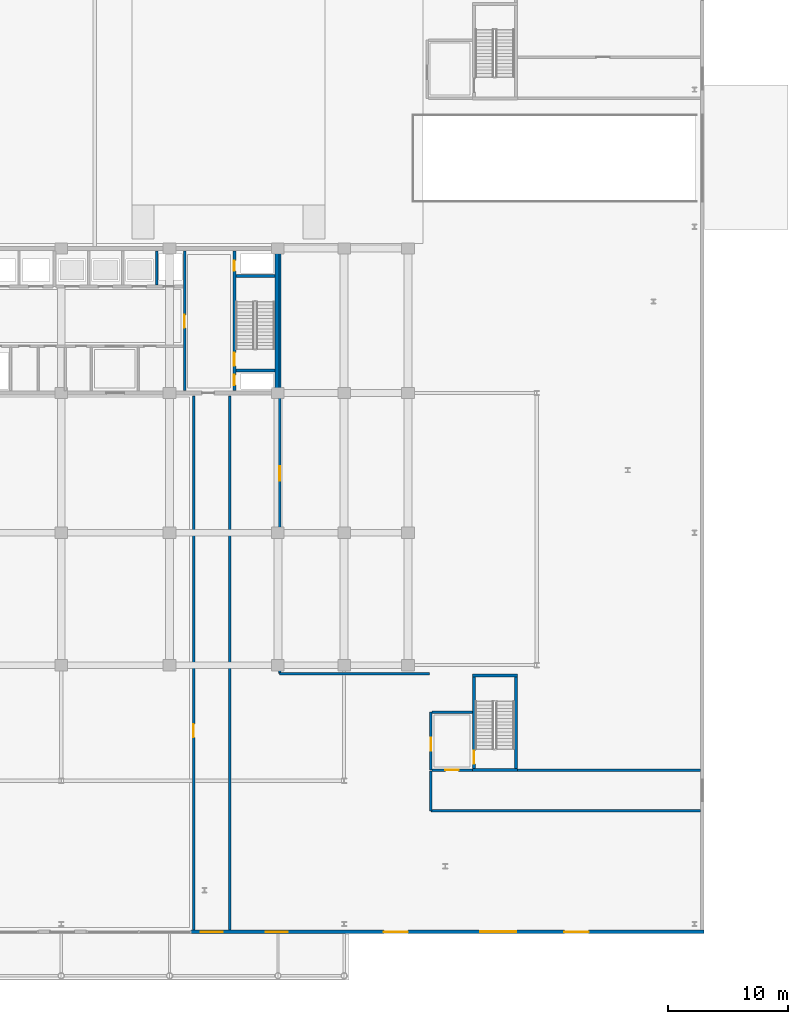
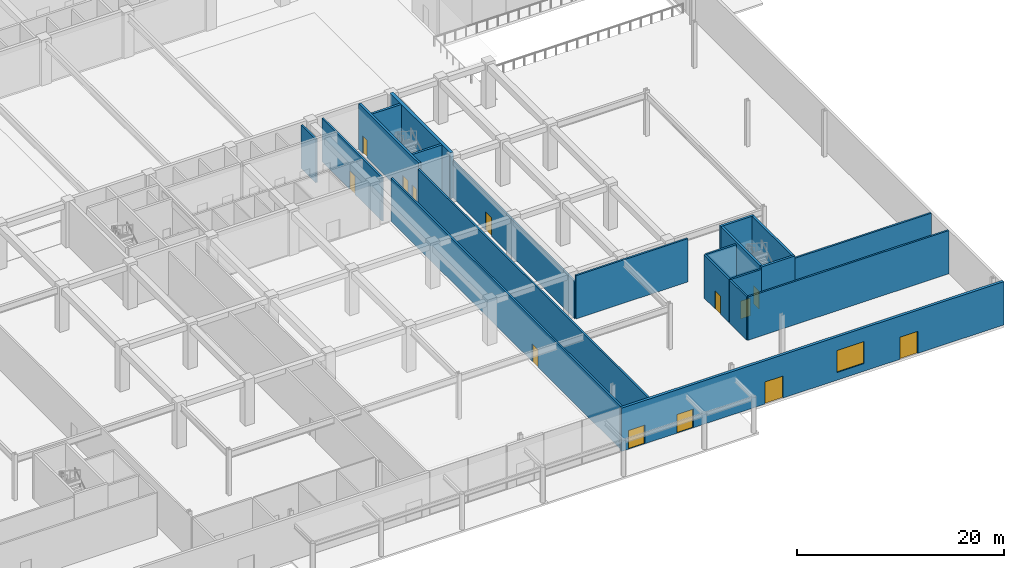
# One storey, part 23 of 46: 21 walls, 13 doors, 1 window, 14 openings.
"""IFC4 building model written with IfcOpenShell, lengths in metres."""

from ifc_helpers import new_model, si_unit, direction, frame, frame_2d, origin, place, context, subcontext, project, spatial, rectangle, extrude, material, layer, layer_set, type_object, element, fill, save


model = new_model("IFC4")

# Units and contexts
model_context = context("Model", 3, precision=1e-05, world=origin(), true_north=direction((0.0, 1.0)))
body_context = subcontext(model_context, "Body", "Model", "MODEL_VIEW")
ifc_project = project(units=[si_unit("LENGTHUNIT", "METRE"), si_unit("AREAUNIT", "SQUARE_METRE"), si_unit("VOLUMEUNIT", "CUBIC_METRE"), si_unit("PLANEANGLEUNIT", "RADIAN"), si_unit("MASSUNIT", "GRAM", prefix="KILO")], contexts=[model_context])

# Site, building, storey
site_placement = place(None, origin())
site = spatial("IfcSite", under=ifc_project, at=site_placement, CompositionType="ELEMENT")
building_placement = place(site_placement, origin())
building = spatial("IfcBuilding", under=site, at=building_placement, Name="Korimba Cascade Residences", CompositionType="ELEMENT")
storey_placement = place(building_placement, origin())
storey = spatial("IfcBuildingStorey", under=building, at=storey_placement, Name="L00", CompositionType="ELEMENT", Elevation=0.0)

# Wall, openings, doors, window
ifc_material_1 = material(Name="Precast concrete C40/50", Category="concrete")
ifc_layer_1 = layer(ifc_material_1, 0.300048828125)
ifc_layer_set_1 = layer_set([ifc_layer_1], Name="Precast concrete C40/50")
wall_type_1 = type_object("IfcWallType", Name="EW-STONE-300", PredefinedType="STANDARD", material=ifc_layer_set_1)
wall_1_placement = place(storey_placement, frame((110.89990234375, -26.35009765625, 0.0), z_axis=(0.0, 0.0, 1.0), x_axis=(1.0, 0.0, 0.0)))
wall_1 = element("IfcWall", 1, at=wall_1_placement, inside=storey, type_object=wall_type_1, Name="L00 South-East Stone Podium Wall", PredefinedType="STANDARD", context=body_context, shape_type="SweptSolid", body=[
    extrude(rectangle(XDim=42.60009765625, YDim=0.300048828125, at=frame_2d((21.300048828125, 0.0))), origin(), (0.0, 0.0, 1.0), 5.10009765625),
])
opening_1_placement = place(wall_1_placement, frame((0.800048828125, 0.0, 0.0)))
opening_1 = element("IfcOpeningElement", 2, at=opening_1_placement, cuts=wall_1, Name="Opening D-EX2", PredefinedType="OPENING", context=body_context, shape_type="SweptSolid", body=[
    extrude(rectangle(XDim=1.800048828125, YDim=2.199951171875, at=frame_2d((0.89990234375, 1.10009765625))), frame((0.0, 0.16015625, 0.0), z_axis=(0.0, -1.0, 0.0), x_axis=(1.0, 0.0, 0.0)), (0.0, 0.0, 1.0), 0.320068359375),
])
opening_2_placement = place(wall_1_placement, frame((6.199951171875, 0.0, 0.0)))
opening_2 = element("IfcOpeningElement", 3, at=opening_2_placement, cuts=wall_1, Name="Opening D-EX2", PredefinedType="OPENING", context=body_context, shape_type="SweptSolid", body=[
    extrude(rectangle(XDim=1.800048828125, YDim=2.199951171875, at=frame_2d((0.89990234375, 1.10009765625))), frame((0.0, 0.16015625, 0.0), z_axis=(0.0, -1.0, 0.0), x_axis=(1.0, 0.0, 0.0)), (0.0, 0.0, 1.0), 0.320068359375),
])
opening_3_placement = place(wall_1_placement, frame((16.0, 0.0, 0.0)))
opening_3 = element("IfcOpeningElement", 4, at=opening_3_placement, cuts=wall_1, Name="Opening D-EX1", PredefinedType="OPENING", context=body_context, shape_type="SweptSolid", body=[
    extrude(rectangle(XDim=2.0, YDim=2.60009765625, at=frame_2d((1.0, 1.300048828125))), frame((0.0, 0.16015625, 0.0), z_axis=(0.0, -1.0, 0.0), x_axis=(1.0, 0.0, 0.0)), (0.0, 0.0, 1.0), 0.320068359375),
])
opening_4_placement = place(wall_1_placement, frame((31.0, 0.0, 0.0)))
opening_4 = element("IfcOpeningElement", 5, at=opening_4_placement, cuts=wall_1, Name="Opening D-EX1", PredefinedType="OPENING", context=body_context, shape_type="SweptSolid", body=[
    extrude(rectangle(XDim=2.0, YDim=2.60009765625, at=frame_2d((1.0, 1.300048828125))), frame((0.0, 0.16015625, 0.0), z_axis=(0.0, -1.0, 0.0), x_axis=(1.0, 0.0, 0.0)), (0.0, 0.0, 1.0), 0.320068359375),
])
opening_5_placement = place(wall_1_placement, frame((24.0, 0.0, 0.89990234375)))
opening_5 = element("IfcOpeningElement", 6, at=opening_5_placement, cuts=wall_1, Name="Opening W-04", PredefinedType="OPENING", context=body_context, shape_type="SweptSolid", body=[
    extrude(rectangle(XDim=3.0, YDim=2.60009765625, at=frame_2d((1.5, 1.300048828125))), frame((0.0, 0.16015625, 0.0), z_axis=(0.0, -1.0, 0.0), x_axis=(1.0, 0.0, 0.0)), (0.0, 0.0, 1.0), 0.320068359375),
])
ifc_material_2 = material(Name="Double-Glazed Entrance Doors", Category="glass")
door_type_1 = type_object("IfcDoorType", Name="DR-EXT-ENT", OperationType="NOTDEFINED", PredefinedType="DOOR", material=ifc_material_2)
door_1_placement = place(opening_3_placement, frame((2.0, 0.0, 0.0), z_axis=(0.0, 0.0, 1.0), x_axis=(-1.0, 0.0, 0.0)))
door_1 = element("IfcDoor", 7, at=door_1_placement, inside=storey, type_object=door_type_1, Name="L00 Leasing Suite Street Entrance Door", OperationType="DOUBLE_DOOR_SINGLE_SWING", OverallHeight=2.60009765625, OverallWidth=2.0, PredefinedType="DOOR", context=body_context, shape_type="SweptSolid", body=[
    extrude(rectangle(XDim=2.0, YDim=2.60009765625, at=frame_2d((1.0, 1.300048828125))), frame((0.0, 0.02490234375, 0.0), z_axis=(0.0, -1.0, 0.0), x_axis=(1.0, 0.0, 0.0)), (0.0, 0.0, 1.0), 0.050048828125),
])
fill(opening_3, door_1)
door_2_placement = place(opening_4_placement, frame((2.0, 0.0, 0.0), z_axis=(0.0, 0.0, 1.0), x_axis=(-1.0, 0.0, 0.0)))
door_2 = element("IfcDoor", 8, at=door_2_placement, inside=storey, type_object=door_type_1, Name="L00 East Promenade Entrance Door", OperationType="DOUBLE_DOOR_SINGLE_SWING", OverallHeight=2.60009765625, OverallWidth=2.0, PredefinedType="DOOR", context=body_context, shape_type="SweptSolid", body=[
    extrude(rectangle(XDim=2.0, YDim=2.60009765625, at=frame_2d((1.0, 1.300048828125))), frame((0.0, 0.02490234375, 0.0), z_axis=(0.0, -1.0, 0.0), x_axis=(1.0, 0.0, 0.0)), (0.0, 0.0, 1.0), 0.050048828125),
])
fill(opening_4, door_2)
ifc_material_3 = material(Name="Galvanised Steel Fire Exit Door", Category="steel")
door_type_2 = type_object("IfcDoorType", Name="DR-EXT-EXIT", OperationType="NOTDEFINED", PredefinedType="DOOR", material=ifc_material_3)
door_3_placement = place(opening_1_placement, frame((1.800048828125, 0.0, 0.0), z_axis=(0.0, 0.0, 1.0), x_axis=(-1.0, 0.0, 0.0)))
door_3 = element("IfcDoor", 9, at=door_3_placement, inside=storey, type_object=door_type_2, Name="L00 Street Fire Exit Door EX-02", OperationType="DOUBLE_DOOR_SINGLE_SWING", OverallHeight=2.199951171875, OverallWidth=1.800048828125, PredefinedType="DOOR", context=body_context, shape_type="SweptSolid", body=[
    extrude(rectangle(XDim=1.800048828125, YDim=2.199951171875, at=frame_2d((0.89990234375, 1.10009765625))), frame((0.0, 0.02490234375, 0.0), z_axis=(0.0, -1.0, 0.0), x_axis=(1.0, 0.0, 0.0)), (0.0, 0.0, 1.0), 0.050048828125),
])
fill(opening_1, door_3)
door_4_placement = place(opening_2_placement, frame((1.800048828125, 0.0, 0.0), z_axis=(0.0, 0.0, 1.0), x_axis=(-1.0, 0.0, 0.0)))
door_4 = element("IfcDoor", 10, at=door_4_placement, inside=storey, type_object=door_type_2, Name="L00 Street Fire Exit Door EX-07", OperationType="DOUBLE_DOOR_SINGLE_SWING", OverallHeight=2.199951171875, OverallWidth=1.800048828125, PredefinedType="DOOR", context=body_context, shape_type="SweptSolid", body=[
    extrude(rectangle(XDim=1.800048828125, YDim=2.199951171875, at=frame_2d((0.89990234375, 1.10009765625))), frame((0.0, 0.02490234375, 0.0), z_axis=(0.0, -1.0, 0.0), x_axis=(1.0, 0.0, 0.0)), (0.0, 0.0, 1.0), 0.050048828125),
])
fill(opening_2, door_4)
ifc_material_4 = material(Name="Double-Glazed Aluminium Window", Category="aluminium")
window_type = type_object("IfcWindowType", Name="WIN-POD-3000", PartitioningType="TRIPLE_PANEL_VERTICAL", PredefinedType="WINDOW", material=ifc_material_4)
window_placement = place(opening_5_placement, origin())
window = element("IfcWindow", 11, at=window_placement, inside=storey, type_object=window_type, Name="L00 Cafe Display Window", OverallHeight=2.60009765625, OverallWidth=3.0, PartitioningType="TRIPLE_PANEL_VERTICAL", PredefinedType="WINDOW", context=body_context, shape_type="SweptSolid", body=[
    extrude(rectangle(XDim=3.0, YDim=2.60009765625, at=frame_2d((1.5, 1.300048828125))), frame((0.0, 0.030029296875, 0.0), z_axis=(0.0, -1.0, 0.0), x_axis=(1.0, 0.0, 0.0)), (0.0, 0.0, 1.0), 0.06005859375),
])
fill(opening_5, window)

# Walls
ifc_material_5 = material(Name="Concrete C65/80", Category="concrete")
ifc_layer_2 = layer(ifc_material_5, 0.35009765625)
ifc_layer_set_2 = layer_set([ifc_layer_2], Name="Concrete C65/80")
wall_type_2 = type_object("IfcWallType", Name="WAL-CORE-350", PredefinedType="SHEAR", material=ifc_layer_set_2)
wall_2_placement = place(storey_placement, frame((118.014892578125, 18.574951171875, 0.0), z_axis=(0.0, 0.0, 1.0), x_axis=(0.0, 1.0, 0.0)))
element("IfcWall", 12, at=wall_2_placement, inside=storey, type_object=wall_type_2, Name="L00 Core Shear Wall CW-L00-T2-E", PredefinedType="SHEAR", context=body_context, shape_type="SweptSolid", body=[
    extrude(rectangle(XDim=11.650146484375, YDim=0.35009765625, at=frame_2d((5.8251953125, 0.0))), origin(), (0.0, 0.0, 1.0), 5.39990234375),
])
ifc_material_6 = material(Name="Concrete C40/50", Category="concrete")
ifc_layer_3 = layer(ifc_material_6, 0.199951171875)
ifc_layer_set_3 = layer_set([ifc_layer_3], Name="Concrete C40/50")
wall_type_3 = type_object("IfcWallType", Name="WAL-PART-200", PredefinedType="PARTITIONING", material=ifc_layer_set_3)
wall_3_placement = place(storey_placement, frame((108.050048828125, 27.3798828125, 0.0), z_axis=(0.0, 0.0, 1.0), x_axis=(0.0, 1.0, 0.0)))
element("IfcWall", 13, at=wall_3_placement, inside=storey, type_object=wall_type_3, Name="L00 Partition Wall CW-L00-T2-B2D3", PredefinedType="PARTITIONING", context=body_context, shape_type="SweptSolid", body=[
    extrude(rectangle(XDim=2.820068359375, YDim=0.199951171875, at=frame_2d((1.41015625, 0.0))), origin(), (0.0, 0.0, 1.0), 5.10009765625),
])

# Wall, opening, door
wall_4_placement = place(storey_placement, frame((110.35009765625, 18.60009765625, 0.0), z_axis=(0.0, 0.0, 1.0), x_axis=(0.0, 1.0, 0.0)))
wall_4 = element("IfcWall", 14, at=wall_4_placement, inside=storey, type_object=wall_type_3, Name="L00 Partition Wall CW-L00-T2-LLEV", PredefinedType="PARTITIONING", context=body_context, shape_type="SweptSolid", body=[
    extrude(rectangle(XDim=11.599853515625, YDim=0.199951171875, at=frame_2d((5.7998046875, 0.0))), origin(), (0.0, 0.0, 1.0), 5.10009765625),
])
opening_6_placement = place(wall_4_placement, frame((5.199951171875, 0.0, 0.0)))
opening_6 = element("IfcOpeningElement", 15, at=opening_6_placement, cuts=wall_4, Name="Opening D-FD6", PredefinedType="OPENING", context=body_context, shape_type="SweptSolid", body=[
    extrude(rectangle(XDim=1.10009765625, YDim=2.14990234375, at=frame_2d((0.550048828125, 1.074951171875))), frame((0.0, 0.10986328125, 0.0), z_axis=(0.0, -1.0, 0.0), x_axis=(1.0, 0.0, 0.0)), (0.0, 0.0, 1.0), 0.219970703125),
])
ifc_material_7 = material(Name="Fire-Rated Timber Stair Lobby Door", Category="wood")
door_type_3 = type_object("IfcDoorType", Name="DR-FD90-1100", OperationType="NOTDEFINED", PredefinedType="DOOR", material=ifc_material_7)
door_5_placement = place(opening_6_placement, origin())
door_5 = element("IfcDoor", 16, at=door_5_placement, inside=storey, type_object=door_type_3, Name="L00 T2 Lift Lobby to East Stair Lobby Door", OperationType="SINGLE_SWING_LEFT", OverallHeight=2.14990234375, OverallWidth=1.10009765625, PredefinedType="DOOR", context=body_context, shape_type="SweptSolid", body=[
    extrude(rectangle(XDim=1.10009765625, YDim=2.14990234375, at=frame_2d((0.550048828125, 1.074951171875))), frame((0.0, 0.02490234375, 0.0), z_axis=(0.0, -1.0, 0.0), x_axis=(1.0, 0.0, 0.0)), (0.0, 0.0, 1.0), 0.050048828125),
])
fill(opening_6, door_5)

wall_5_placement = place(storey_placement, frame((130.800048828125, -12.925048828125, 0.0), z_axis=(0.0, 0.0, 1.0), x_axis=(0.0, 1.0, 0.0)))
wall_5 = element("IfcWall", 17, at=wall_5_placement, inside=storey, type_object=wall_type_3, Name="L00 Partition Wall CW-L00-PL6W", PredefinedType="PARTITIONING", context=body_context, shape_type="SweptSolid", body=[
    extrude(rectangle(XDim=4.824951171875, YDim=0.199951171875, at=frame_2d((2.41259765625, 0.0))), origin(), (0.0, 0.0, 1.0), 5.10009765625),
])
opening_7_placement = place(wall_5_placement, frame((1.60009765625, 0.0, 0.0)))
opening_7 = element("IfcOpeningElement", 18, at=opening_7_placement, cuts=wall_5, Name="Opening D-FD6", PredefinedType="OPENING", context=body_context, shape_type="SweptSolid", body=[
    extrude(rectangle(XDim=1.10009765625, YDim=2.14990234375, at=frame_2d((0.550048828125, 1.074951171875))), frame((0.0, 0.10986328125, 0.0), z_axis=(0.0, -1.0, 0.0), x_axis=(1.0, 0.0, 0.0)), (0.0, 0.0, 1.0), 0.219970703125),
])
door_6_placement = place(opening_7_placement, origin())
door_6 = element("IfcDoor", 19, at=door_6_placement, inside=storey, type_object=door_type_3, Name="L00 South-East Stair Vestibule Door", OperationType="SINGLE_SWING_LEFT", OverallHeight=2.14990234375, OverallWidth=1.10009765625, PredefinedType="DOOR", context=body_context, shape_type="SweptSolid", body=[
    extrude(rectangle(XDim=1.10009765625, YDim=2.14990234375, at=frame_2d((0.550048828125, 1.074951171875))), frame((0.0, 0.02490234375, 0.0), z_axis=(0.0, -1.0, 0.0), x_axis=(1.0, 0.0, 0.0)), (0.0, 0.0, 1.0), 0.050048828125),
])
fill(opening_7, door_6)

wall_6_placement = place(storey_placement, frame((130.89990234375, -12.925048828125, 0.0), z_axis=(0.0, 0.0, 1.0), x_axis=(1.0, 0.0, 0.0)))
wall_6 = element("IfcWall", 20, at=wall_6_placement, inside=storey, type_object=wall_type_3, Name="L00 Partition Wall CW-L00-PL6S", PredefinedType="PARTITIONING", context=body_context, shape_type="SweptSolid", body=[
    extrude(rectangle(XDim=3.35009765625, YDim=0.199951171875, at=frame_2d((1.675048828125, 0.0))), origin(), (0.0, 0.0, 1.0), 5.10009765625),
])
opening_8_placement = place(wall_6_placement, frame((1.10009765625, 0.0, 0.0)))
opening_8 = element("IfcOpeningElement", 21, at=opening_8_placement, cuts=wall_6, Name="Opening D-FD1", PredefinedType="OPENING", context=body_context, shape_type="SweptSolid", body=[
    extrude(rectangle(XDim=1.10009765625, YDim=2.10009765625, at=frame_2d((0.550048828125, 1.050048828125))), frame((0.0, 0.10986328125, 0.0), z_axis=(0.0, -1.0, 0.0), x_axis=(1.0, 0.0, 0.0)), (0.0, 0.0, 1.0), 0.219970703125),
])
ifc_material_8 = material(Name="Fire-Rated Steel Core Door", Category="steel")
door_type_4 = type_object("IfcDoorType", Name="DR-FD120-1100", OperationType="NOTDEFINED", PredefinedType="DOOR", material=ifc_material_8)
door_7_placement = place(opening_8_placement, origin())
door_7 = element("IfcDoor", 22, at=door_7_placement, inside=storey, type_object=door_type_4, Name="L00 SE Vestibule to Exit Passage Door", OperationType="SINGLE_SWING_RIGHT", OverallHeight=2.10009765625, OverallWidth=1.10009765625, PredefinedType="DOOR", context=body_context, shape_type="SweptSolid", body=[
    extrude(rectangle(XDim=1.10009765625, YDim=2.10009765625, at=frame_2d((0.550048828125, 1.050048828125))), frame((0.0, 0.02490234375, 0.0), z_axis=(0.0, -1.0, 0.0), x_axis=(1.0, 0.0, 0.0)), (0.0, 0.0, 1.0), 0.050048828125),
])
fill(opening_8, door_7)

# Wall
wall_7_placement = place(storey_placement, frame((130.89990234375, -8.10009765625, 0.0), z_axis=(0.0, 0.0, 1.0), x_axis=(1.0, 0.0, 0.0)))
element("IfcWall", 23, at=wall_7_placement, inside=storey, type_object=wall_type_3, Name="L00 Partition Wall CW-L00-PL6N", PredefinedType="PARTITIONING", context=body_context, shape_type="SweptSolid", body=[
    extrude(rectangle(XDim=3.35009765625, YDim=0.199951171875, at=frame_2d((1.675048828125, 0.0))), origin(), (0.0, 0.0, 1.0), 5.10009765625),
])

# Wall, opening, door
wall_8_placement = place(storey_placement, frame((111.10009765625, -26.199951171875, 0.0), z_axis=(0.0, 0.0, 1.0), x_axis=(0.0, 1.0, 0.0)))
wall_8 = element("IfcWall", 24, at=wall_8_placement, inside=storey, type_object=wall_type_3, Name="L00 Partition Wall WAL-L00-XPS2W", PredefinedType="PARTITIONING", context=body_context, shape_type="SweptSolid", body=[
    extrude(rectangle(XDim=44.349853515625, YDim=0.199951171875, at=frame_2d((22.1748046875, 0.0))), origin(), (0.0, 0.0, 1.0), 5.10009765625),
])
opening_9_placement = place(wall_8_placement, frame((16.0, 0.0, 0.0)))
opening_9 = element("IfcOpeningElement", 25, at=opening_9_placement, cuts=wall_8, Name="Opening D-FD1", PredefinedType="OPENING", context=body_context, shape_type="SweptSolid", body=[
    extrude(rectangle(XDim=1.10009765625, YDim=2.10009765625, at=frame_2d((0.550048828125, 1.050048828125))), frame((0.0, 0.10986328125, 0.0), z_axis=(0.0, -1.0, 0.0), x_axis=(1.0, 0.0, 0.0)), (0.0, 0.0, 1.0), 0.219970703125),
])
door_8_placement = place(opening_9_placement, origin())
door_8 = element("IfcDoor", 26, at=door_8_placement, inside=storey, type_object=door_type_4, Name="L00 Lobby to SE Exit Passage Door", OperationType="SINGLE_SWING_LEFT", OverallHeight=2.10009765625, OverallWidth=1.10009765625, PredefinedType="DOOR", context=body_context, shape_type="SweptSolid", body=[
    extrude(rectangle(XDim=1.10009765625, YDim=2.10009765625, at=frame_2d((0.550048828125, 1.050048828125))), frame((0.0, 0.02490234375, 0.0), z_axis=(0.0, -1.0, 0.0), x_axis=(1.0, 0.0, 0.0)), (0.0, 0.0, 1.0), 0.050048828125),
])
fill(opening_9, door_8)

# Walls
wall_9_placement = place(storey_placement, frame((114.10009765625, -26.199951171875, 0.0), z_axis=(0.0, 0.0, 1.0), x_axis=(0.0, 1.0, 0.0)))
element("IfcWall", 27, at=wall_9_placement, inside=storey, type_object=wall_type_3, Name="L00 Partition Wall WAL-L00-XPS2E", PredefinedType="PARTITIONING", context=body_context, shape_type="SweptSolid", body=[
    extrude(rectangle(XDim=44.349853515625, YDim=0.199951171875, at=frame_2d((22.1748046875, 0.0))), origin(), (0.0, 0.0, 1.0), 5.10009765625),
])
wall_10_placement = place(storey_placement, frame((130.800048828125, -16.300048828125, 0.0), z_axis=(0.0, 0.0, 1.0), x_axis=(1.0, 0.0, 0.0)))
element("IfcWall", 28, at=wall_10_placement, inside=storey, type_object=wall_type_3, Name="L00 Partition Wall WAL-L00-XPP6S", PredefinedType="PARTITIONING", context=body_context, shape_type="SweptSolid", body=[
    extrude(rectangle(XDim=22.39990234375, YDim=0.199951171875, at=frame_2d((11.199951171875, 0.0))), origin(), (0.0, 0.0, 1.0), 5.10009765625),
])
wall_11_placement = place(storey_placement, frame((138.0, -12.925048828125, 0.0), z_axis=(0.0, 0.0, 1.0), x_axis=(1.0, 0.0, 0.0)))
element("IfcWall", 29, at=wall_11_placement, inside=storey, type_object=wall_type_3, Name="L00 Partition Wall WAL-L00-XPP6N", PredefinedType="PARTITIONING", context=body_context, shape_type="SweptSolid", body=[
    extrude(rectangle(XDim=15.199951171875, YDim=0.199951171875, at=frame_2d((7.60009765625, 0.0))), origin(), (0.0, 0.0, 1.0), 5.10009765625),
])
wall_12_placement = place(storey_placement, frame((130.800048828125, -16.300048828125, 0.0), z_axis=(0.0, 0.0, 1.0), x_axis=(0.0, 1.0, 0.0)))
element("IfcWall", 30, at=wall_12_placement, inside=storey, type_object=wall_type_3, Name="L00 Partition Wall WAL-L00-XPP6W", PredefinedType="PARTITIONING", context=body_context, shape_type="SweptSolid", body=[
    extrude(rectangle(XDim=3.300048828125, YDim=0.199951171875, at=frame_2d((1.64990234375, 0.0))), origin(), (0.0, 0.0, 1.0), 5.10009765625),
])

# Wall, opening, door
wall_13_placement = place(storey_placement, frame((118.25, -4.89990234375, 0.0), z_axis=(0.0, 0.0, 1.0), x_axis=(0.0, 1.0, 0.0)))
wall_13 = element("IfcWall", 31, at=wall_13_placement, inside=storey, type_object=wall_type_3, Name="L00 Partition Wall WAL-L00-CAFW", PredefinedType="PARTITIONING", context=body_context, shape_type="SweptSolid", body=[
    extrude(rectangle(XDim=35.349853515625, YDim=0.199951171875, at=frame_2d((17.6748046875, 0.0))), origin(), (0.0, 0.0, 1.0), 4.35009765625),
])
opening_10_placement = place(wall_13_placement, frame((16.0, 0.0, 0.0)))
opening_10 = element("IfcOpeningElement", 32, at=opening_10_placement, cuts=wall_13, Name="Opening D-AM1", PredefinedType="OPENING", context=body_context, shape_type="SweptSolid", body=[
    extrude(rectangle(XDim=1.219970703125, YDim=2.179931640625, at=frame_2d((0.60986328125, 1.08984375))), frame((0.0, 0.10986328125, 0.0), z_axis=(0.0, -1.0, 0.0), x_axis=(1.0, 0.0, 0.0)), (0.0, 0.0, 1.0), 0.219970703125),
])
ifc_material_9 = material(Name="Fire-Rated Glazed Timber Suite Door", Category="wood")
door_type_5 = type_object("IfcDoorType", Name="DR-FD60-1200", OperationType="NOTDEFINED", PredefinedType="DOOR", material=ifc_material_9)
door_9_placement = place(opening_10_placement, origin())
door_9 = element("IfcDoor", 33, at=door_9_placement, inside=storey, type_object=door_type_5, Name="L00 Leasing Office Internal Door", OperationType="SINGLE_SWING_LEFT", OverallHeight=2.179931640625, OverallWidth=1.219970703125, PredefinedType="DOOR", context=body_context, shape_type="SweptSolid", body=[
    extrude(rectangle(XDim=1.219970703125, YDim=2.179931640625, at=frame_2d((0.60986328125, 1.08984375))), frame((0.0, 0.02490234375, 0.0), z_axis=(0.0, -1.0, 0.0), x_axis=(1.0, 0.0, 0.0)), (0.0, 0.0, 1.0), 0.050048828125),
])
fill(opening_10, door_9)

# Wall
wall_14_placement = place(storey_placement, frame((118.25, -4.89990234375, 0.0), z_axis=(0.0, 0.0, 1.0), x_axis=(1.0, 0.0, 0.0)))
element("IfcWall", 34, at=wall_14_placement, inside=storey, type_object=wall_type_3, Name="L00 Partition Wall WAL-L00-CAFS", PredefinedType="PARTITIONING", context=body_context, shape_type="SweptSolid", body=[
    extrude(rectangle(XDim=12.449951171875, YDim=0.199951171875, at=frame_2d((6.22509765625, 0.0))), origin(), (0.0, 0.0, 1.0), 5.10009765625),
])

# Wall, openings, doors
ifc_material_10 = material(Name="Concrete C50/60", Category="concrete")
ifc_layer_4 = layer(ifc_material_10, 0.25)
ifc_layer_set_4 = layer_set([ifc_layer_4], Name="Concrete C50/60")
wall_type_4 = type_object("IfcWallType", Name="WAL-SHAFT-250", PredefinedType="SHEAR", material=ifc_layer_set_4)
wall_15_placement = place(storey_placement, frame((114.47509765625, 18.60009765625, 0.0), z_axis=(0.0, 0.0, 1.0), x_axis=(0.0, 1.0, 0.0)))
wall_15 = element("IfcWall", 35, at=wall_15_placement, inside=storey, type_object=wall_type_4, Name="L00 Core Shear Wall CW-L00-T2-STE2W", PredefinedType="SHEAR", context=body_context, shape_type="SweptSolid", body=[
    extrude(rectangle(XDim=11.599853515625, YDim=0.25, at=frame_2d((5.7998046875, 0.0))), origin(), (0.0, 0.0, 1.0), 5.39990234375),
])
opening_11_placement = place(wall_15_placement, frame((0.449951171875, 0.0, 0.0)))
opening_11 = element("IfcOpeningElement", 36, at=opening_11_placement, cuts=wall_15, Name="Opening D-RS1", PredefinedType="OPENING", context=body_context, shape_type="SweptSolid", body=[
    extrude(rectangle(XDim=0.85009765625, YDim=2.050048828125, at=frame_2d((0.425048828125, 1.02490234375))), frame((0.0, 0.135009765625, 0.0), z_axis=(0.0, -1.0, 0.0), x_axis=(1.0, 0.0, 0.0)), (0.0, 0.0, 1.0), 0.27001953125),
])
opening_12_placement = place(wall_15_placement, frame((2.050048828125, 0.0, 0.0)))
opening_12 = element("IfcOpeningElement", 37, at=opening_12_placement, cuts=wall_15, Name="Opening D-FD1", PredefinedType="OPENING", context=body_context, shape_type="SweptSolid", body=[
    extrude(rectangle(XDim=1.10009765625, YDim=2.10009765625, at=frame_2d((0.550048828125, 1.050048828125))), frame((0.0, 0.135009765625, 0.0), z_axis=(0.0, -1.0, 0.0), x_axis=(1.0, 0.0, 0.0)), (0.0, 0.0, 1.0), 0.27001953125),
])
opening_13_placement = place(wall_15_placement, frame((9.949951171875, 0.0, 0.0)))
opening_13 = element("IfcOpeningElement", 38, at=opening_13_placement, cuts=wall_15, Name="Opening D-RS1", PredefinedType="OPENING", context=body_context, shape_type="SweptSolid", body=[
    extrude(rectangle(XDim=0.85009765625, YDim=2.050048828125, at=frame_2d((0.425048828125, 1.02490234375))), frame((0.0, 0.135009765625, 0.0), z_axis=(0.0, -1.0, 0.0), x_axis=(1.0, 0.0, 0.0)), (0.0, 0.0, 1.0), 0.27001953125),
])
door_10_placement = place(opening_12_placement, origin())
door_10 = element("IfcDoor", 39, at=door_10_placement, inside=storey, type_object=door_type_4, Name="L00 Fire Stair ST-E2 Door", OperationType="SINGLE_SWING_LEFT", OverallHeight=2.10009765625, OverallWidth=1.10009765625, PredefinedType="DOOR", context=body_context, shape_type="SweptSolid", body=[
    extrude(rectangle(XDim=1.10009765625, YDim=2.10009765625, at=frame_2d((0.550048828125, 1.050048828125))), frame((0.0, 0.02490234375, 0.0), z_axis=(0.0, -1.0, 0.0), x_axis=(1.0, 0.0, 0.0)), (0.0, 0.0, 1.0), 0.050048828125),
])
fill(opening_12, door_10)
ifc_material_11 = material(Name="Fire-Rated Steel Riser Access Door", Category="steel")
door_type_6 = type_object("IfcDoorType", Name="DR-FD60-850", OperationType="NOTDEFINED", PredefinedType="DOOR", material=ifc_material_11)
door_11_placement = place(opening_11_placement, origin())
door_11 = element("IfcDoor", 40, at=door_11_placement, inside=storey, type_object=door_type_6, Name="L00 T2 East Hydrant Door", OperationType="SINGLE_SWING_RIGHT", OverallHeight=2.050048828125, OverallWidth=0.85009765625, PredefinedType="DOOR", context=body_context, shape_type="SweptSolid", body=[
    extrude(rectangle(XDim=0.85009765625, YDim=2.050048828125, at=frame_2d((0.425048828125, 1.02490234375))), frame((0.0, 0.02490234375, 0.0), z_axis=(0.0, -1.0, 0.0), x_axis=(1.0, 0.0, 0.0)), (0.0, 0.0, 1.0), 0.050048828125),
])
fill(opening_11, door_11)
door_12_placement = place(opening_13_placement, origin())
door_12 = element("IfcDoor", 41, at=door_12_placement, inside=storey, type_object=door_type_6, Name="L00 T2 East Riser Door", OperationType="SINGLE_SWING_RIGHT", OverallHeight=2.050048828125, OverallWidth=0.85009765625, PredefinedType="DOOR", context=body_context, shape_type="SweptSolid", body=[
    extrude(rectangle(XDim=0.85009765625, YDim=2.050048828125, at=frame_2d((0.425048828125, 1.02490234375))), frame((0.0, 0.02490234375, 0.0), z_axis=(0.0, -1.0, 0.0), x_axis=(1.0, 0.0, 0.0)), (0.0, 0.0, 1.0), 0.050048828125),
])
fill(opening_13, door_12)

# Walls
for number, where, z_axis, x_axis, name in (
    (42, (114.60009765625, 20.27490234375, 0.0), (0.0, 0.0, 1.0), (1.0, 0.0, 0.0), "L00 Core Shear Wall CW-L00-T2-STE2S"),
    (43, (114.60009765625, 28.125, 0.0), (0.0, 0.0, 1.0), (1.0, 0.0, 0.0), "L00 Core Shear Wall CW-L00-T2-STE2N"),
):
    element("IfcWall", number, at=place(storey_placement, frame(where, z_axis=z_axis, x_axis=x_axis)), inside=storey, type_object=wall_type_4, Name=name, PredefinedType="SHEAR", context=body_context, shape_type="SweptSolid", body=[
        extrude(rectangle(XDim=3.239990234375, YDim=0.25, at=frame_2d((1.6201171875, 0.0))), origin(), (0.0, 0.0, 1.0), 5.39990234375),
    ])

# Wall, opening, door
wall_16_placement = place(storey_placement, frame((134.375, -12.800048828125, 0.0), z_axis=(0.0, 0.0, 1.0), x_axis=(0.0, 1.0, 0.0)))
wall_16 = element("IfcWall", 44, at=wall_16_placement, inside=storey, type_object=wall_type_4, Name="L00 Core Shear Wall CW-L00-STP6W", PredefinedType="SHEAR", context=body_context, shape_type="SweptSolid", body=[
    extrude(rectangle(XDim=7.60009765625, YDim=0.25, at=frame_2d((3.800048828125, 0.0))), origin(), (0.0, 0.0, 1.0), 5.39990234375),
])
opening_14_placement = place(wall_16_placement, frame((0.39990234375, 0.0, 0.0)))
opening_14 = element("IfcOpeningElement", 45, at=opening_14_placement, cuts=wall_16, Name="Opening D-FD1", PredefinedType="OPENING", context=body_context, shape_type="SweptSolid", body=[
    extrude(rectangle(XDim=1.10009765625, YDim=2.10009765625, at=frame_2d((0.550048828125, 1.050048828125))), frame((0.0, 0.135009765625, 0.0), z_axis=(0.0, -1.0, 0.0), x_axis=(1.0, 0.0, 0.0)), (0.0, 0.0, 1.0), 0.27001953125),
])
door_13_placement = place(opening_14_placement, origin())
door_13 = element("IfcDoor", 46, at=door_13_placement, inside=storey, type_object=door_type_4, Name="L00 Podium Stair ST-P6 Door", OperationType="SINGLE_SWING_RIGHT", OverallHeight=2.10009765625, OverallWidth=1.10009765625, PredefinedType="DOOR", context=body_context, shape_type="SweptSolid", body=[
    extrude(rectangle(XDim=1.10009765625, YDim=2.10009765625, at=frame_2d((0.550048828125, 1.050048828125))), frame((0.0, 0.02490234375, 0.0), z_axis=(0.0, -1.0, 0.0), x_axis=(1.0, 0.0, 0.0)), (0.0, 0.0, 1.0), 0.050048828125),
])
fill(opening_14, door_13)

# Walls
wall_17_placement = place(storey_placement, frame((137.864990234375, -12.800048828125, 0.0), z_axis=(0.0, 0.0, 1.0), x_axis=(0.0, 1.0, 0.0)))
element("IfcWall", 47, at=wall_17_placement, inside=storey, type_object=wall_type_4, Name="L00 Core Shear Wall CW-L00-STP6E", PredefinedType="SHEAR", context=body_context, shape_type="SweptSolid", body=[
    extrude(rectangle(XDim=7.60009765625, YDim=0.25, at=frame_2d((3.800048828125, 0.0))), origin(), (0.0, 0.0, 1.0), 5.39990234375),
])
for number, where, z_axis, x_axis, name in (
    (48, (134.25, -12.925048828125, 0.0), (0.0, 0.0, 1.0), (1.0, 0.0, 0.0), "L00 Core Shear Wall CW-L00-STP6S"),
    (49, (134.25, -5.074951171875, 0.0), (0.0, 0.0, 1.0), (1.0, 0.0, 0.0), "L00 Core Shear Wall CW-L00-STP6N"),
):
    element("IfcWall", number, at=place(storey_placement, frame(where, z_axis=z_axis, x_axis=x_axis)), inside=storey, type_object=wall_type_4, Name=name, PredefinedType="SHEAR", context=body_context, shape_type="SweptSolid", body=[
        extrude(rectangle(XDim=3.739990234375, YDim=0.25, at=frame_2d((1.8701171875, 0.0))), origin(), (0.0, 0.0, 1.0), 5.39990234375),
    ])

save(model, "model.ifc")
